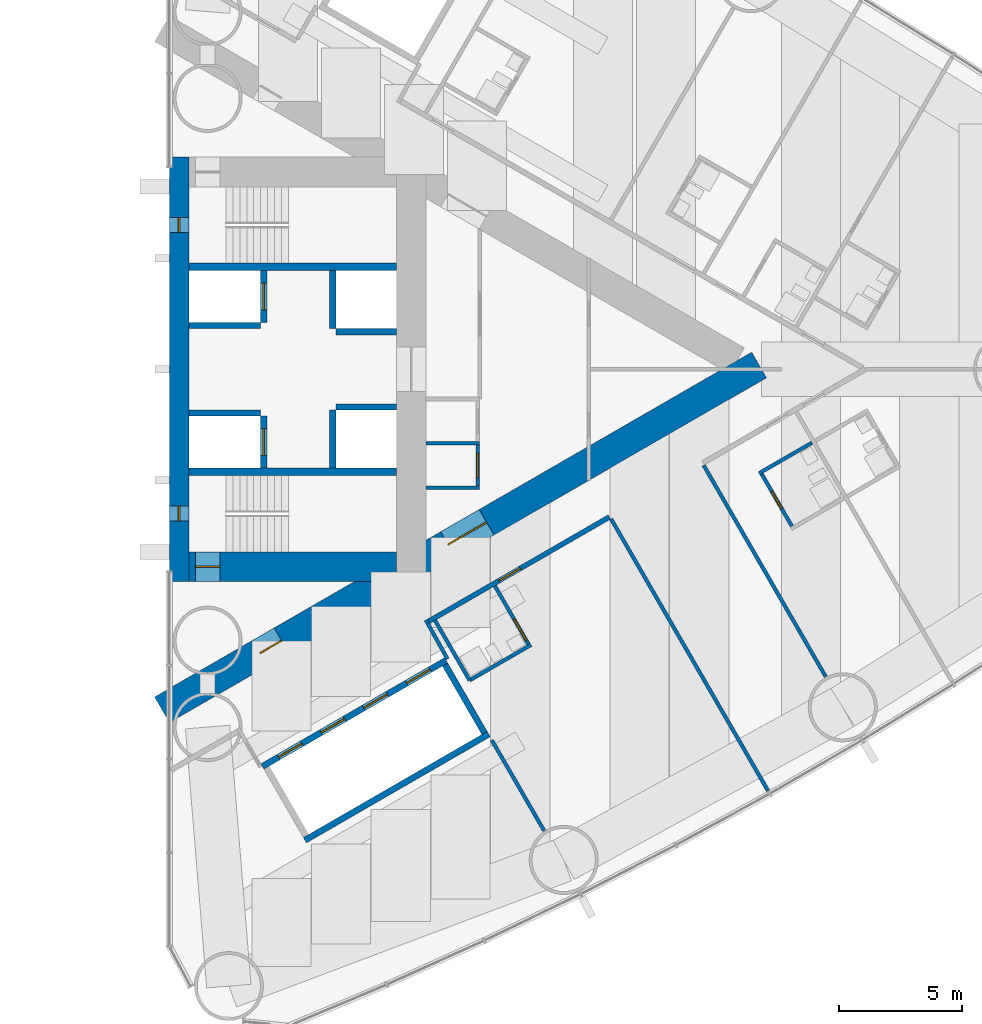
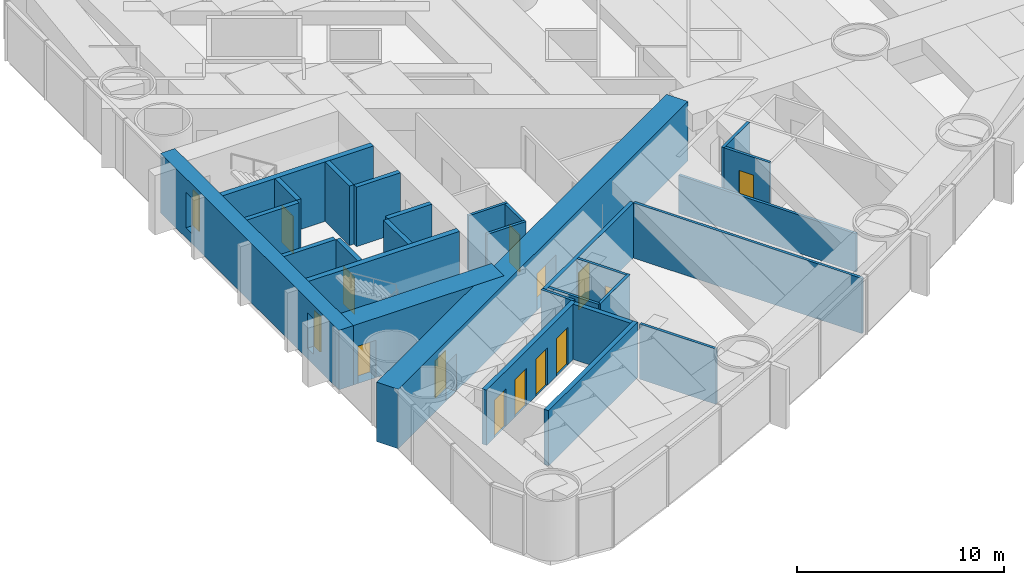
# One storey, part 14 of 19: 29 walls, 13 doors, 2 windows, 15 openings.
"""IFC4 building model written with IfcOpenShell, lengths in metres."""

from ifc_helpers import new_model, si_unit, direction, frame, frame_2d, origin, place, context, subcontext, project, spatial, rectangle, extrude, material, layer, layer_set, type_object, element, fill, save


model = new_model("IFC4")

# Units and contexts
model_context = context("Model", 3, precision=1e-05, world=origin(), true_north=direction((0.0, 1.0)))
body_context = subcontext(model_context, "Body", "Model", "MODEL_VIEW")
ifc_project = project(units=[si_unit("LENGTHUNIT", "METRE"), si_unit("AREAUNIT", "SQUARE_METRE"), si_unit("VOLUMEUNIT", "CUBIC_METRE"), si_unit("PLANEANGLEUNIT", "RADIAN"), si_unit("MASSUNIT", "GRAM", prefix="KILO")], contexts=[model_context])

# Site, building, storey
site_placement = place(None, origin())
site = spatial("IfcSite", under=ifc_project, at=site_placement, CompositionType="ELEMENT")
building_placement = place(site_placement, origin())
building = spatial("IfcBuilding", under=site, at=building_placement, Name="Lancet Gate Hotel", CompositionType="ELEMENT")
storey_placement = place(building_placement, frame((0.0, 0.0, 21.5)))
storey = spatial("IfcBuildingStorey", under=building, at=storey_placement, Name="L04", CompositionType="ELEMENT", Elevation=21.5)

# Wall, opening, door
ifc_material_1 = material(Name="Moisture resistant board partition")
ifc_layer_1 = layer(ifc_material_1, 0.14990234375)
ifc_layer_set_1 = layer_set([ifc_layer_1], Name="Bathroom wall 150")
wall_type_1 = type_object("IfcWallType", Name="Bathroom wall 150", PredefinedType="PARTITIONING", material=ifc_layer_set_1)
wall_1_placement = place(storey_placement, frame((51.47119140625, -4.1748046875, 0.0), z_axis=(0.0, 0.0, 1.0), x_axis=(0.500006934395, -0.866021400173, 0.0)))
wall_1 = element("IfcWall", 1, at=wall_1_placement, inside=storey, type_object=wall_type_1, Name="T2 bathroom wall 150 L04", PredefinedType="PARTITIONING", context=body_context, shape_type="SweptSolid", body=[
    extrude(rectangle(XDim=2.60009765625, YDim=0.14990234375, at=frame_2d((1.300048828125, 0.0))), origin(), (0.0, 0.0, 1.0), 3.25),
])
opening_1_placement = place(wall_1_placement, frame((0.89990234375, 0.0, 0.0)))
opening_1 = element("IfcOpeningElement", 2, at=opening_1_placement, cuts=wall_1, Name="Opening 0456-B", PredefinedType="OPENING", context=body_context, shape_type="SweptSolid", body=[
    extrude(rectangle(XDim=0.800048828125, YDim=2.199951171875, at=frame_2d((0.39990234375, 1.10009765625))), frame((0.0, 0.0849609375, 0.0), z_axis=(0.0, -1.0, 0.0), x_axis=(1.0, 0.0, 0.0)), (0.0, 0.0, 1.0), 0.169921875),
])
ifc_material_2 = material(Name="Timber door set", Category="wood")
door_type_1 = type_object("IfcDoorType", Name="Bathroom door 800", OperationType="SINGLE_SWING_RIGHT", PredefinedType="DOOR", material=ifc_material_2)
door_1_placement = place(opening_1_placement, origin())
door_1 = element("IfcDoor", 3, at=door_1_placement, inside=storey, type_object=door_type_1, Name="0456-B", OperationType="SINGLE_SWING_RIGHT", OverallHeight=2.199951171875, OverallWidth=0.800048828125, PredefinedType="DOOR", context=body_context, shape_type="SweptSolid", body=[
    extrude(rectangle(XDim=0.800048828125, YDim=2.199951171875, at=frame_2d((0.39990234375, 1.10009765625))), frame((0.0, 0.02490234375, 0.0), z_axis=(0.0, -1.0, 0.0), x_axis=(1.0, 0.0, 0.0)), (0.0, 0.0, 1.0), 0.050048828125),
])
fill(opening_1, door_1)

# Walls
wall_2_placement = place(storey_placement, frame((51.40625, -4.21240234375, 0.0), z_axis=(0.0, 0.0, 1.0), x_axis=(0.866031185235, 0.4999899861, 0.0)))
element("IfcWall", 4, at=wall_2_placement, inside=storey, type_object=wall_type_1, Name="T2 bathroom wall 150 L04", PredefinedType="PARTITIONING", context=body_context, shape_type="SweptSolid", body=[
    extrude(rectangle(XDim=2.47509765625, YDim=0.14990234375, at=frame_2d((1.237548828125, 0.0))), origin(), (0.0, 0.0, 1.0), 3.25),
])
wall_3_placement = place(storey_placement, frame((39.669921875, -12.60498046875, 0.0), z_axis=(0.0, 0.0, 1.0), x_axis=(0.866018712932, 0.500011588718, 0.0)))
element("IfcWall", 5, at=wall_3_placement, inside=storey, type_object=wall_type_1, Name="T2 bathroom wall 150 L04", PredefinedType="PARTITIONING", context=body_context, shape_type="SweptSolid", body=[
    extrude(rectangle(XDim=2.875, YDim=0.14990234375, at=frame_2d((1.4375, 0.0))), origin(), (0.0, 0.0, 1.0), 3.25),
])

# Wall, opening, door
wall_4_placement = place(storey_placement, frame((40.694580078125, -8.780029296875, 0.0), z_axis=(0.0, 0.0, 1.0), x_axis=(0.500049511043, -0.865996816683, 0.0)))
wall_4 = element("IfcWall", 6, at=wall_4_placement, inside=storey, type_object=wall_type_1, Name="T2 bathroom wall 150 L04", PredefinedType="PARTITIONING", context=body_context, shape_type="SweptSolid", body=[
    extrude(rectangle(XDim=2.800048828125, YDim=0.14990234375, at=frame_2d((1.39990234375, 0.0))), origin(), (0.0, 0.0, 1.0), 3.25),
])
opening_2_placement = place(wall_4_placement, frame((1.550048828125, 0.0, 0.0)))
opening_2 = element("IfcOpeningElement", 7, at=opening_2_placement, cuts=wall_4, Name="Opening 0453-B", PredefinedType="OPENING", context=body_context, shape_type="SweptSolid", body=[
    extrude(rectangle(XDim=1.0, YDim=2.199951171875, at=frame_2d((0.5, 1.10009765625))), frame((0.0, 0.0849609375, 0.0), z_axis=(0.0, -1.0, 0.0), x_axis=(1.0, 0.0, 0.0)), (0.0, 0.0, 1.0), 0.169921875),
])
ifc_material_3 = material(Name="Timber door set", Category="wood")
door_type_2 = type_object("IfcDoorType", Name="Accessible en-suite door 1000", OperationType="SINGLE_SWING_RIGHT", PredefinedType="DOOR", material=ifc_material_3)
door_2_placement = place(opening_2_placement, origin())
door_2 = element("IfcDoor", 8, at=door_2_placement, inside=storey, type_object=door_type_2, Name="0453-B", OperationType="SINGLE_SWING_RIGHT", OverallHeight=2.199951171875, OverallWidth=1.0, PredefinedType="DOOR", context=body_context, shape_type="SweptSolid", body=[
    extrude(rectangle(XDim=1.0, YDim=2.199951171875, at=frame_2d((0.5, 1.10009765625))), frame((0.0, 0.02490234375, 0.0), z_axis=(0.0, -1.0, 0.0), x_axis=(1.0, 0.0, 0.0)), (0.0, 0.0, 1.0), 0.050048828125),
])
fill(opening_2, door_2)

# Wall
wall_5_placement = place(storey_placement, frame((38.269775390625, -10.18017578125, 0.0), z_axis=(0.0, 0.0, 1.0), x_axis=(0.500049511043, -0.865996816683, 0.0)))
element("IfcWall", 9, at=wall_5_placement, inside=storey, type_object=wall_type_1, Name="T2 bathroom wall 150 L04", PredefinedType="PARTITIONING", context=body_context, shape_type="SweptSolid", body=[
    extrude(rectangle(XDim=2.800048828125, YDim=0.14990234375, at=frame_2d((1.39990234375, 0.0))), origin(), (0.0, 0.0, 1.0), 3.25),
])

# Wall, openings, doors
ifc_material_4 = material(Name="Concrete C70/85", Category="concrete")
ifc_layer_2 = layer(ifc_material_4, 1.199951171875)
ifc_layer_set_2 = layer_set([ifc_layer_2], Name="Buttress wall 1200")
wall_type_2 = type_object("IfcWallType", Name="Buttress wall 1200", PredefinedType="SHEAR", material=ifc_layer_set_2)
wall_6_placement = place(storey_placement, frame((27.199951171875, -13.800048828125, 0.0), z_axis=(0.0, 0.0, 1.0), x_axis=(0.866027159892, 0.499996958321, 0.0)))
wall_6 = element("IfcWall", 10, at=wall_6_placement, inside=storey, type_object=wall_type_2, Name="T2 buttress wall S L04", PredefinedType="SHEAR", context=body_context, shape_type="SweptSolid", body=[
    extrude(rectangle(XDim=27.946533203125, YDim=1.199951171875, at=frame_2d((13.97314453125, 0.0))), origin(), (0.0, 0.0, 1.0), 3.5),
])
opening_3_placement = place(wall_6_placement, frame((4.60009765625, 0.0, 0.0)))
opening_3 = element("IfcOpeningElement", 11, at=opening_3_placement, cuts=wall_6, Name="Opening T2-L04-LS", PredefinedType="OPENING", context=body_context, shape_type="SweptSolid", body=[
    extrude(rectangle(XDim=1.0, YDim=2.199951171875, at=frame_2d((0.5, 1.10009765625))), frame((0.0, 0.60986328125, 0.0), z_axis=(0.0, -1.0, 0.0), x_axis=(1.0, 0.0, 0.0)), (0.0, 0.0, 1.0), 1.219970703125),
])
opening_4_placement = place(wall_6_placement, frame((13.39453125, 0.0, 0.0)))
opening_4 = element("IfcOpeningElement", 12, at=opening_4_placement, cuts=wall_6, Name="Opening T2-L04-LHS", PredefinedType="OPENING", context=body_context, shape_type="SweptSolid", body=[
    extrude(rectangle(XDim=1.800048828125, YDim=2.199951171875, at=frame_2d((0.89990234375, 1.10009765625))), frame((0.0, 0.60986328125, 0.0), z_axis=(0.0, -1.0, 0.0), x_axis=(1.0, 0.0, 0.0)), (0.0, 0.0, 1.0), 1.219970703125),
])
ifc_material_5 = material(Name="Timber door set", Category="wood")
door_type_3 = type_object("IfcDoorType", Name="Lobby double door 1800", OperationType="DOUBLE_DOOR_SINGLE_SWING", PredefinedType="DOOR", material=ifc_material_5)
door_3_placement = place(opening_4_placement, origin())
door_3 = element("IfcDoor", 13, at=door_3_placement, inside=storey, type_object=door_type_3, Name="T2-L04-LHS", OperationType="DOUBLE_DOOR_SINGLE_SWING", OverallHeight=2.199951171875, OverallWidth=1.800048828125, PredefinedType="DOOR", context=body_context, shape_type="SweptSolid", body=[
    extrude(rectangle(XDim=1.800048828125, YDim=2.199951171875, at=frame_2d((0.89990234375, 1.10009765625))), frame((0.0, 0.02490234375, 0.0), z_axis=(0.0, -1.0, 0.0), x_axis=(1.0, 0.0, 0.0)), (0.0, 0.0, 1.0), 0.050048828125),
])
fill(opening_4, door_3)
ifc_material_6 = material(Name="Timber door set", Category="wood")
door_type_4 = type_object("IfcDoorType", Name="Stair lobby door 1000", OperationType="SINGLE_SWING_LEFT", PredefinedType="DOOR", material=ifc_material_6)
door_4_placement = place(opening_3_placement, origin())
door_4 = element("IfcDoor", 14, at=door_4_placement, inside=storey, type_object=door_type_4, Name="T2-L04-LS", OperationType="SINGLE_SWING_LEFT", OverallHeight=2.199951171875, OverallWidth=1.0, PredefinedType="DOOR", context=body_context, shape_type="SweptSolid", body=[
    extrude(rectangle(XDim=1.0, YDim=2.199951171875, at=frame_2d((0.5, 1.10009765625))), frame((0.0, 0.02490234375, 0.0), z_axis=(0.0, -1.0, 0.0), x_axis=(1.0, 0.0, 0.0)), (0.0, 0.0, 1.0), 0.050048828125),
])
fill(opening_3, door_4)

# Wall, opening, door
ifc_material_7 = material(Name="Concrete C70/85", Category="concrete")
ifc_layer_3 = layer(ifc_material_7, 1.199951171875)
ifc_layer_set_3 = layer_set([ifc_layer_3], Name="Core wall 1200")
wall_type_3 = type_object("IfcWallType", Name="Core wall 1200", PredefinedType="SHEAR", material=ifc_layer_set_3)
wall_7_placement = place(storey_placement, frame((28.300048828125, -8.0, 0.0), z_axis=(0.0, 0.0, 1.0), x_axis=(1.0, 0.0, 0.0)))
wall_7 = element("IfcWall", 15, at=wall_7_placement, inside=storey, type_object=wall_type_3, Name="T2 core wall side-S L04", PredefinedType="SHEAR", context=body_context, shape_type="SweptSolid", body=[
    extrude(rectangle(XDim=8.39990234375, YDim=1.199951171875, at=frame_2d((4.199951171875, 0.0))), origin(), (0.0, 0.0, 1.0), 3.5),
])
opening_5_placement = place(wall_7_placement, frame((0.25, 0.0, 0.0)))
opening_5 = element("IfcOpeningElement", 16, at=opening_5_placement, cuts=wall_7, Name="Opening T2-L04-ST1", PredefinedType="OPENING", context=body_context, shape_type="SweptSolid", body=[
    extrude(rectangle(XDim=1.0, YDim=2.199951171875, at=frame_2d((0.5, 1.10009765625))), frame((0.0, 0.60986328125, 0.0), z_axis=(0.0, -1.0, 0.0), x_axis=(1.0, 0.0, 0.0)), (0.0, 0.0, 1.0), 1.219970703125),
])
ifc_material_8 = material(Name="Timber door set", Category="wood")
door_type_5 = type_object("IfcDoorType", Name="Stair door 1000", OperationType="SINGLE_SWING_RIGHT", PredefinedType="DOOR", material=ifc_material_8)
door_5_placement = place(opening_5_placement, origin())
door_5 = element("IfcDoor", 17, at=door_5_placement, inside=storey, type_object=door_type_5, Name="T2-L04-ST1", OperationType="SINGLE_SWING_RIGHT", OverallHeight=2.199951171875, OverallWidth=1.0, PredefinedType="DOOR", context=body_context, shape_type="SweptSolid", body=[
    extrude(rectangle(XDim=1.0, YDim=2.199951171875, at=frame_2d((0.5, 1.10009765625))), frame((0.0, 0.02490234375, 0.0), z_axis=(0.0, -1.0, 0.0), x_axis=(1.0, 0.0, 0.0)), (0.0, 0.0, 1.0), 0.050048828125),
])
fill(opening_5, door_5)

# Wall, openings, windows
ifc_material_9 = material(Name="Concrete C70/85", Category="concrete")
ifc_layer_4 = layer(ifc_material_9, 0.800048828125)
ifc_layer_set_4 = layer_set([ifc_layer_4], Name="Core wall 800")
wall_type_4 = type_object("IfcWallType", Name="Core wall 800", PredefinedType="SHEAR", material=ifc_layer_set_4)
wall_8_placement = place(storey_placement, frame((27.89990234375, -8.60009765625, 0.0), z_axis=(0.0, 0.0, 1.0), x_axis=(0.0, 1.0, 0.0)))
wall_8 = element("IfcWall", 18, at=wall_8_placement, inside=storey, type_object=wall_type_4, Name="T2 core wall front L04", PredefinedType="SHEAR", context=body_context, shape_type="SweptSolid", body=[
    extrude(rectangle(XDim=17.2001953125, YDim=0.800048828125, at=frame_2d((8.60009765625, 0.0))), origin(), (0.0, 0.0, 1.0), 3.5),
])
opening_6_placement = place(wall_8_placement, frame((2.449951171875, 0.0, 0.60009765625)))
opening_6 = element("IfcOpeningElement", 19, at=opening_6_placement, cuts=wall_8, Name="Opening LW1", PredefinedType="OPENING", context=body_context, shape_type="SweptSolid", body=[
    extrude(rectangle(XDim=0.60009765625, YDim=2.10009765625, at=frame_2d((0.300048828125, 1.050048828125))), frame((0.0, 0.409912109375, 0.0), z_axis=(0.0, -1.0, 0.0), x_axis=(1.0, 0.0, 0.0)), (0.0, 0.0, 1.0), 0.820068359375),
])
opening_7_placement = place(wall_8_placement, frame((14.14990234375, 0.0, 0.60009765625)))
opening_7 = element("IfcOpeningElement", 20, at=opening_7_placement, cuts=wall_8, Name="Opening LW1", PredefinedType="OPENING", context=body_context, shape_type="SweptSolid", body=[
    extrude(rectangle(XDim=0.60009765625, YDim=2.10009765625, at=frame_2d((0.300048828125, 1.050048828125))), frame((0.0, 0.409912109375, 0.0), z_axis=(0.0, -1.0, 0.0), x_axis=(1.0, 0.0, 0.0)), (0.0, 0.0, 1.0), 0.820068359375),
])
ifc_material_10 = material(Name="Fire-resisting glazed steel window", Category="steel")
window_type = type_object("IfcWindowType", Name="Lancet window 600x2100", PartitioningType="SINGLE_PANEL", PredefinedType="WINDOW", material=ifc_material_10)
window_1_placement = place(opening_6_placement, origin())
window_1 = element("IfcWindow", 21, at=window_1_placement, inside=storey, type_object=window_type, Name="T2 stair window S L04", OverallHeight=2.10009765625, OverallWidth=0.60009765625, PartitioningType="SINGLE_PANEL", PredefinedType="WINDOW", context=body_context, shape_type="SweptSolid", body=[
    extrude(rectangle(XDim=0.60009765625, YDim=2.10009765625, at=frame_2d((0.300048828125, 1.050048828125))), frame((0.0, 0.030029296875, 0.0), z_axis=(0.0, -1.0, 0.0), x_axis=(1.0, 0.0, 0.0)), (0.0, 0.0, 1.0), 0.06005859375),
])
fill(opening_6, window_1)
window_2_placement = place(opening_7_placement, origin())
window_2 = element("IfcWindow", 22, at=window_2_placement, inside=storey, type_object=window_type, Name="T2 stair window N L04", OverallHeight=2.10009765625, OverallWidth=0.60009765625, PartitioningType="SINGLE_PANEL", PredefinedType="WINDOW", context=body_context, shape_type="SweptSolid", body=[
    extrude(rectangle(XDim=0.60009765625, YDim=2.10009765625, at=frame_2d((0.300048828125, 1.050048828125))), frame((0.0, 0.030029296875, 0.0), z_axis=(0.0, -1.0, 0.0), x_axis=(1.0, 0.0, 0.0)), (0.0, 0.0, 1.0), 0.06005859375),
])
fill(opening_7, window_2)

# Wall, opening, door
ifc_material_11 = material(Name="Gypsum board partition")
ifc_layer_5 = layer(ifc_material_11, 0.199951171875)
ifc_layer_set_5 = layer_set([ifc_layer_5], Name="Corridor wall 200")
wall_type_5 = type_object("IfcWallType", Name="Corridor wall 200", PredefinedType="PARTITIONING", material=ifc_layer_set_5)
wall_9_placement = place(storey_placement, frame((37.9599609375, -10.243408203125, 0.0), z_axis=(0.0, 0.0, 1.0), x_axis=(0.866024617314, 0.500001362204, 0.0)))
wall_9 = element("IfcWall", 23, at=wall_9_placement, inside=storey, type_object=wall_type_5, Name="T2 corridor wall 200 L04", PredefinedType="PARTITIONING", context=body_context, shape_type="SweptSolid", body=[
    extrude(rectangle(XDim=8.51171875, YDim=0.199951171875, at=frame_2d((4.255859375, 0.0))), origin(), (0.0, 0.0, 1.0), 3.25),
])
opening_8_placement = place(wall_9_placement, frame((3.35009765625, 0.0, 0.0)))
opening_8 = element("IfcOpeningElement", 24, at=opening_8_placement, cuts=wall_9, Name="Opening 0453-E", PredefinedType="OPENING", context=body_context, shape_type="SweptSolid", body=[
    extrude(rectangle(XDim=1.0, YDim=2.199951171875, at=frame_2d((0.5, 1.10009765625))), frame((0.0, 0.10986328125, 0.0), z_axis=(0.0, -1.0, 0.0), x_axis=(1.0, 0.0, 0.0)), (0.0, 0.0, 1.0), 0.219970703125),
])
ifc_material_12 = material(Name="Timber door set", Category="wood")
door_type_6 = type_object("IfcDoorType", Name="Accessible guest room door 1000", OperationType="SINGLE_SWING_LEFT", PredefinedType="DOOR", material=ifc_material_12)
door_6_placement = place(opening_8_placement, origin())
door_6 = element("IfcDoor", 25, at=door_6_placement, inside=storey, type_object=door_type_6, Name="0453-E", OperationType="SINGLE_SWING_LEFT", OverallHeight=2.199951171875, OverallWidth=1.0, PredefinedType="DOOR", context=body_context, shape_type="SweptSolid", body=[
    extrude(rectangle(XDim=1.0, YDim=2.199951171875, at=frame_2d((0.5, 1.10009765625))), frame((0.0, 0.02490234375, 0.0), z_axis=(0.0, -1.0, 0.0), x_axis=(1.0, 0.0, 0.0)), (0.0, 0.0, 1.0), 0.050048828125),
])
fill(opening_8, door_6)

# Wall, openings, doors
ifc_material_13 = material(Name="Gypsum board partition")
ifc_layer_6 = layer(ifc_material_13, 0.25)
ifc_layer_set_6 = layer_set([ifc_layer_6], Name="Lift shaft partition 250")
wall_type_6 = type_object("IfcWallType", Name="Lift shaft partition 250", PredefinedType="PARTITIONING", material=ifc_layer_set_6)
wall_10_placement = place(storey_placement, frame((31.2705078125, -16.09716796875, 0.0), z_axis=(0.0, 0.0, 1.0), x_axis=(0.86604045752, 0.499973925258, 0.0)))
wall_10 = element("IfcWall", 26, at=wall_10_placement, inside=storey, type_object=wall_type_6, Name="T2 lift shaft wall LR L04", PredefinedType="PARTITIONING", context=body_context, shape_type="SweptSolid", body=[
    extrude(rectangle(XDim=8.60009765625, YDim=0.25, at=frame_2d((4.300048828125, 0.0))), origin(), (0.0, 0.0, 1.0), 3.25),
])
opening_9_placement = place(wall_10_placement, frame((0.75, 0.0, 0.0)))
opening_9 = element("IfcOpeningElement", 27, at=opening_9_placement, cuts=wall_10, Name="Opening T2-LR1-L04", PredefinedType="OPENING", context=body_context, shape_type="SweptSolid", body=[
    extrude(rectangle(XDim=1.10009765625, YDim=2.199951171875, at=frame_2d((0.550048828125, 1.10009765625))), frame((0.0, 0.135009765625, 0.0), z_axis=(0.0, -1.0, 0.0), x_axis=(1.0, 0.0, 0.0)), (0.0, 0.0, 1.0), 0.27001953125),
])
opening_10_placement = place(wall_10_placement, frame((2.75, 0.0, 0.0)))
opening_10 = element("IfcOpeningElement", 28, at=opening_10_placement, cuts=wall_10, Name="Opening T2-LR2-L04", PredefinedType="OPENING", context=body_context, shape_type="SweptSolid", body=[
    extrude(rectangle(XDim=1.10009765625, YDim=2.199951171875, at=frame_2d((0.550048828125, 1.10009765625))), frame((0.0, 0.135009765625, 0.0), z_axis=(0.0, -1.0, 0.0), x_axis=(1.0, 0.0, 0.0)), (0.0, 0.0, 1.0), 0.27001953125),
])
opening_11_placement = place(wall_10_placement, frame((4.75, 0.0, 0.0)))
opening_11 = element("IfcOpeningElement", 29, at=opening_11_placement, cuts=wall_10, Name="Opening T2-LR3-L04", PredefinedType="OPENING", context=body_context, shape_type="SweptSolid", body=[
    extrude(rectangle(XDim=1.10009765625, YDim=2.199951171875, at=frame_2d((0.550048828125, 1.10009765625))), frame((0.0, 0.135009765625, 0.0), z_axis=(0.0, -1.0, 0.0), x_axis=(1.0, 0.0, 0.0)), (0.0, 0.0, 1.0), 0.27001953125),
])
opening_12_placement = place(wall_10_placement, frame((6.75, 0.0, 0.0)))
opening_12 = element("IfcOpeningElement", 30, at=opening_12_placement, cuts=wall_10, Name="Opening T2-LR4-L04", PredefinedType="OPENING", context=body_context, shape_type="SweptSolid", body=[
    extrude(rectangle(XDim=1.10009765625, YDim=2.199951171875, at=frame_2d((0.550048828125, 1.10009765625))), frame((0.0, 0.135009765625, 0.0), z_axis=(0.0, -1.0, 0.0), x_axis=(1.0, 0.0, 0.0)), (0.0, 0.0, 1.0), 0.27001953125),
])
ifc_material_14 = material(Name="Steel door set", Category="steel")
door_type_7 = type_object("IfcDoorType", Name="Lift landing door 1100", OperationType="DOUBLE_DOOR_SLIDING", PredefinedType="USERDEFINED", material=ifc_material_14)
door_7_placement = place(opening_9_placement, origin())
door_7 = element("IfcDoor", 31, at=door_7_placement, inside=storey, type_object=door_type_7, Name="T2-LR1-L04", ObjectType="LIFT LANDING DOOR", OperationType="DOUBLE_DOOR_SLIDING", OverallHeight=2.199951171875, OverallWidth=1.10009765625, PredefinedType="USERDEFINED", context=body_context, shape_type="SweptSolid", body=[
    extrude(rectangle(XDim=1.10009765625, YDim=2.199951171875, at=frame_2d((0.550048828125, 1.10009765625))), frame((0.0, 0.02490234375, 0.0), z_axis=(0.0, -1.0, 0.0), x_axis=(1.0, 0.0, 0.0)), (0.0, 0.0, 1.0), 0.050048828125),
])
fill(opening_9, door_7)
door_8_placement = place(opening_10_placement, origin())
door_8 = element("IfcDoor", 32, at=door_8_placement, inside=storey, type_object=door_type_7, Name="T2-LR2-L04", ObjectType="LIFT LANDING DOOR", OperationType="DOUBLE_DOOR_SLIDING", OverallHeight=2.199951171875, OverallWidth=1.10009765625, PredefinedType="USERDEFINED", context=body_context, shape_type="SweptSolid", body=[
    extrude(rectangle(XDim=1.10009765625, YDim=2.199951171875, at=frame_2d((0.550048828125, 1.10009765625))), frame((0.0, 0.02490234375, 0.0), z_axis=(0.0, -1.0, 0.0), x_axis=(1.0, 0.0, 0.0)), (0.0, 0.0, 1.0), 0.050048828125),
])
fill(opening_10, door_8)
door_9_placement = place(opening_11_placement, origin())
door_9 = element("IfcDoor", 33, at=door_9_placement, inside=storey, type_object=door_type_7, Name="T2-LR3-L04", ObjectType="LIFT LANDING DOOR", OperationType="DOUBLE_DOOR_SLIDING", OverallHeight=2.199951171875, OverallWidth=1.10009765625, PredefinedType="USERDEFINED", context=body_context, shape_type="SweptSolid", body=[
    extrude(rectangle(XDim=1.10009765625, YDim=2.199951171875, at=frame_2d((0.550048828125, 1.10009765625))), frame((0.0, 0.02490234375, 0.0), z_axis=(0.0, -1.0, 0.0), x_axis=(1.0, 0.0, 0.0)), (0.0, 0.0, 1.0), 0.050048828125),
])
fill(opening_11, door_9)
door_10_placement = place(opening_12_placement, origin())
door_10 = element("IfcDoor", 34, at=door_10_placement, inside=storey, type_object=door_type_7, Name="T2-LR4-L04", ObjectType="LIFT LANDING DOOR", OperationType="DOUBLE_DOOR_SLIDING", OverallHeight=2.199951171875, OverallWidth=1.10009765625, PredefinedType="USERDEFINED", context=body_context, shape_type="SweptSolid", body=[
    extrude(rectangle(XDim=1.10009765625, YDim=2.199951171875, at=frame_2d((0.550048828125, 1.10009765625))), frame((0.0, 0.02490234375, 0.0), z_axis=(0.0, -1.0, 0.0), x_axis=(1.0, 0.0, 0.0)), (0.0, 0.0, 1.0), 0.050048828125),
])
fill(opening_12, door_10)

# Walls
wall_11_placement = place(storey_placement, frame((32.99560546875, -19.085693359375, 0.0), z_axis=(0.0, 0.0, 1.0), x_axis=(0.866028165386, 0.499995216735, 0.0)))
element("IfcWall", 35, at=wall_11_placement, inside=storey, type_object=wall_type_6, Name="T2 lift shaft wall LR L04", PredefinedType="PARTITIONING", context=body_context, shape_type="SweptSolid", body=[
    extrude(rectangle(XDim=8.60009765625, YDim=0.25, at=frame_2d((4.300048828125, 0.0))), origin(), (0.0, 0.0, 1.0), 3.25),
])
wall_12_placement = place(storey_placement, frame((38.672607421875, -11.968017578125, 0.0), z_axis=(0.0, 0.0, 1.0), x_axis=(0.499929347863, -0.866066190972, 0.0)))
element("IfcWall", 36, at=wall_12_placement, inside=storey, type_object=wall_type_6, Name="T2 lift shaft wall LR L04", PredefinedType="PARTITIONING", context=body_context, shape_type="SweptSolid", body=[
    extrude(rectangle(XDim=3.20068359375, YDim=0.25, at=frame_2d((1.600341796875, 0.0))), origin(), (0.0, 0.0, 1.0), 3.25),
])

# Wall, opening, door
ifc_material_15 = material(Name="Concrete C50/60", Category="concrete")
ifc_layer_7 = layer(ifc_material_15, 0.25)
ifc_layer_set_7 = layer_set([ifc_layer_7], Name="Lift shaft wall 250")
wall_type_7 = type_object("IfcWallType", Name="Lift shaft wall 250", PredefinedType="SHEAR", material=ifc_layer_set_7)
wall_13_placement = place(storey_placement, frame((31.324951171875, -4.0, 0.0), z_axis=(0.0, 0.0, 1.0), x_axis=(0.0, 1.0, 0.0)))
wall_13 = element("IfcWall", 37, at=wall_13_placement, inside=storey, type_object=wall_type_7, Name="T2 core wall row1-S L04", PredefinedType="SHEAR", context=body_context, shape_type="SweptSolid", body=[
    extrude(rectangle(XDim=2.10009765625, YDim=0.25, at=frame_2d((1.050048828125, 0.0))), origin(), (0.0, 0.0, 1.0), 3.5),
])
opening_13_placement = place(wall_13_placement, frame((0.5, 0.0, 0.0)))
opening_13 = element("IfcOpeningElement", 38, at=opening_13_placement, cuts=wall_13, Name="Opening T2-SL1-L04", PredefinedType="OPENING", context=body_context, shape_type="SweptSolid", body=[
    extrude(rectangle(XDim=1.10009765625, YDim=2.199951171875, at=frame_2d((0.550048828125, 1.10009765625))), frame((0.0, 0.135009765625, 0.0), z_axis=(0.0, -1.0, 0.0), x_axis=(1.0, 0.0, 0.0)), (0.0, 0.0, 1.0), 0.27001953125),
])
ifc_material_16 = material(Name="Timber door set", Category="wood")
door_type_8 = type_object("IfcDoorType", Name="Service lift landing door 1100", OperationType="SLIDING_TO_LEFT", PredefinedType="USERDEFINED", material=ifc_material_16)
door_11_placement = place(opening_13_placement, origin())
door_11 = element("IfcDoor", 39, at=door_11_placement, inside=storey, type_object=door_type_8, Name="T2-SL1-L04", ObjectType="LIFT LANDING DOOR", OperationType="SLIDING_TO_LEFT", OverallHeight=2.199951171875, OverallWidth=1.10009765625, PredefinedType="USERDEFINED", context=body_context, shape_type="SweptSolid", body=[
    extrude(rectangle(XDim=1.10009765625, YDim=2.199951171875, at=frame_2d((0.550048828125, 1.10009765625))), frame((0.0, 0.02490234375, 0.0), z_axis=(0.0, -1.0, 0.0), x_axis=(1.0, 0.0, 0.0)), (0.0, 0.0, 1.0), 0.050048828125),
])
fill(opening_13, door_11)

# Walls
wall_14_placement = place(storey_placement, frame((34.125, -4.0, 0.0), z_axis=(0.0, 0.0, 1.0), x_axis=(0.0, 1.0, 0.0)))
element("IfcWall", 40, at=wall_14_placement, inside=storey, type_object=wall_type_7, Name="T2 core wall row2-S L04", PredefinedType="SHEAR", context=body_context, shape_type="SweptSolid", body=[
    extrude(rectangle(XDim=2.35009765625, YDim=0.25, at=frame_2d((1.175048828125, 0.0))), origin(), (0.0, 0.0, 1.0), 3.5),
])
wall_15_placement = place(storey_placement, frame((28.300048828125, -1.77490234375, 0.0), z_axis=(0.0, 0.0, 1.0), x_axis=(1.0, 0.0, 0.0)))
element("IfcWall", 41, at=wall_15_placement, inside=storey, type_object=wall_type_7, Name="T2 core wall pass1-S L04", PredefinedType="SHEAR", context=body_context, shape_type="SweptSolid", body=[
    extrude(rectangle(XDim=2.89990234375, YDim=0.25, at=frame_2d((1.449951171875, 0.0))), origin(), (0.0, 0.0, 1.0), 3.5),
])
wall_16_placement = place(storey_placement, frame((34.25, -1.52490234375, 0.0), z_axis=(0.0, 0.0, 1.0), x_axis=(1.0, 0.0, 0.0)))
element("IfcWall", 42, at=wall_16_placement, inside=storey, type_object=wall_type_7, Name="T2 core wall pass2-S L04", PredefinedType="SHEAR", context=body_context, shape_type="SweptSolid", body=[
    extrude(rectangle(XDim=2.449951171875, YDim=0.25, at=frame_2d((1.22509765625, 0.0))), origin(), (0.0, 0.0, 1.0), 3.5),
])

# Wall, opening, door
wall_17_placement = place(storey_placement, frame((31.324951171875, 1.89990234375, 0.0), z_axis=(0.0, 0.0, 1.0), x_axis=(0.0, 1.0, 0.0)))
wall_17 = element("IfcWall", 43, at=wall_17_placement, inside=storey, type_object=wall_type_7, Name="T2 core wall row1-N L04", PredefinedType="SHEAR", context=body_context, shape_type="SweptSolid", body=[
    extrude(rectangle(XDim=2.10009765625, YDim=0.25, at=frame_2d((1.050048828125, 0.0))), origin(), (0.0, 0.0, 1.0), 3.5),
])
opening_14_placement = place(wall_17_placement, frame((0.5, 0.0, 0.0)))
opening_14 = element("IfcOpeningElement", 44, at=opening_14_placement, cuts=wall_17, Name="Opening T2-FL2-L04", PredefinedType="OPENING", context=body_context, shape_type="SweptSolid", body=[
    extrude(rectangle(XDim=1.10009765625, YDim=2.199951171875, at=frame_2d((0.550048828125, 1.10009765625))), frame((0.0, 0.135009765625, 0.0), z_axis=(0.0, -1.0, 0.0), x_axis=(1.0, 0.0, 0.0)), (0.0, 0.0, 1.0), 0.27001953125),
])
ifc_material_17 = material(Name="Steel door set", Category="steel")
door_type_9 = type_object("IfcDoorType", Name="Firefighting lift landing door 1100", OperationType="SLIDING_TO_LEFT", PredefinedType="USERDEFINED", material=ifc_material_17)
door_12_placement = place(opening_14_placement, origin())
door_12 = element("IfcDoor", 45, at=door_12_placement, inside=storey, type_object=door_type_9, Name="T2-FL2-L04", ObjectType="LIFT LANDING DOOR", OperationType="SLIDING_TO_LEFT", OverallHeight=2.199951171875, OverallWidth=1.10009765625, PredefinedType="USERDEFINED", context=body_context, shape_type="SweptSolid", body=[
    extrude(rectangle(XDim=1.10009765625, YDim=2.199951171875, at=frame_2d((0.550048828125, 1.10009765625))), frame((0.0, 0.02490234375, 0.0), z_axis=(0.0, -1.0, 0.0), x_axis=(1.0, 0.0, 0.0)), (0.0, 0.0, 1.0), 0.050048828125),
])
fill(opening_14, door_12)

# Walls
wall_18_placement = place(storey_placement, frame((34.125, 1.64990234375, 0.0), z_axis=(0.0, 0.0, 1.0), x_axis=(0.0, 1.0, 0.0)))
element("IfcWall", 46, at=wall_18_placement, inside=storey, type_object=wall_type_7, Name="T2 core wall row2-N L04", PredefinedType="SHEAR", context=body_context, shape_type="SweptSolid", body=[
    extrude(rectangle(XDim=2.35009765625, YDim=0.25, at=frame_2d((1.175048828125, 0.0))), origin(), (0.0, 0.0, 1.0), 3.5),
])
wall_19_placement = place(storey_placement, frame((28.300048828125, 1.77490234375, 0.0), z_axis=(0.0, 0.0, 1.0), x_axis=(1.0, 0.0, 0.0)))
element("IfcWall", 47, at=wall_19_placement, inside=storey, type_object=wall_type_7, Name="T2 core wall pass1-N L04", PredefinedType="SHEAR", context=body_context, shape_type="SweptSolid", body=[
    extrude(rectangle(XDim=2.89990234375, YDim=0.25, at=frame_2d((1.449951171875, 0.0))), origin(), (0.0, 0.0, 1.0), 3.5),
])
wall_20_placement = place(storey_placement, frame((34.25, 1.52490234375, 0.0), z_axis=(0.0, 0.0, 1.0), x_axis=(1.0, 0.0, 0.0)))
element("IfcWall", 48, at=wall_20_placement, inside=storey, type_object=wall_type_7, Name="T2 core wall pass2-N L04", PredefinedType="SHEAR", context=body_context, shape_type="SweptSolid", body=[
    extrude(rectangle(XDim=2.449951171875, YDim=0.25, at=frame_2d((1.22509765625, 0.0))), origin(), (0.0, 0.0, 1.0), 3.5),
])
ifc_material_18 = material(Name="Gypsum board partition")
ifc_layer_8 = layer(ifc_material_18, 0.14990234375)
ifc_layer_set_8 = layer_set([ifc_layer_8], Name="Party wall 150")
wall_type_8 = type_object("IfcWallType", Name="Party wall 150", PredefinedType="PARTITIONING", material=ifc_layer_set_8)
wall_21_placement = place(storey_placement, frame((45.40283203125, -6.061767578125, 0.0), z_axis=(0.0, 0.0, 1.0), x_axis=(0.500007077968, -0.866021317279, 0.0)))
element("IfcWall", 49, at=wall_21_placement, inside=storey, type_object=wall_type_8, Name="T2 party wall 150 L04", PredefinedType="PARTITIONING", context=body_context, shape_type="SweptSolid", body=[
    extrude(rectangle(XDim=12.721435546875, YDim=0.14990234375, at=frame_2d((6.36083984375, 0.0))), origin(), (0.0, 0.0, 1.0), 3.25),
])
wall_22_placement = place(storey_placement, frame((49.159423828125, -3.892822265625, 0.0), z_axis=(0.0, 0.0, 1.0), x_axis=(0.499998773722, -0.866026111775, 0.0)))
element("IfcWall", 50, at=wall_22_placement, inside=storey, type_object=wall_type_8, Name="T2 party wall 150 L04", PredefinedType="PARTITIONING", context=body_context, shape_type="SweptSolid", body=[
    extrude(rectangle(XDim=9.8916015625, YDim=0.14990234375, at=frame_2d((4.94580078125, 0.0))), origin(), (0.0, 0.0, 1.0), 2.25),
])
wall_23_placement = place(storey_placement, frame((40.5703125, -15.030029296875, 0.0), z_axis=(0.0, 0.0, 1.0), x_axis=(0.500012993597, -0.866017901798, 0.0)))
element("IfcWall", 51, at=wall_23_placement, inside=storey, type_object=wall_type_8, Name="T2 party wall 150 L04", PredefinedType="PARTITIONING", context=body_context, shape_type="SweptSolid", body=[
    extrude(rectangle(XDim=4.2431640625, YDim=0.14990234375, at=frame_2d((2.12158203125, 0.0))), origin(), (0.0, 0.0, 1.0), 3.25),
])
ifc_material_19 = material(Name="Gypsum board partition")
ifc_layer_9 = layer(ifc_material_19, 0.14990234375)
ifc_layer_set_9 = layer_set([ifc_layer_9], Name="Service room wall 150")
wall_type_9 = type_object("IfcWallType", Name="Service room wall 150", PredefinedType="PARTITIONING", material=ifc_layer_set_9)
wall_24_placement = place(storey_placement, frame((38.7734375, -11.742431640625, 0.0), z_axis=(0.0, 0.0, 1.0), x_axis=(-0.485528096672, 0.8742210632, 0.0)))
element("IfcWall", 52, at=wall_24_placement, inside=storey, type_object=wall_type_9, Name="T2 service room wall 150 L04", PredefinedType="PARTITIONING", context=body_context, shape_type="SweptSolid", body=[
    extrude(rectangle(XDim=1.80517578125, YDim=0.14990234375, at=frame_2d((0.902587890625, 0.0))), origin(), (0.0, 0.0, 1.0), 3.25),
])
for number, where, z_axis, x_axis, name in (
    (53, (37.89990234375, -3.0, 0.0), (0.0, 0.0, 1.0), (1.0, 0.0, 0.0), "T2 service room wall 150 L04"),
    (54, (37.89990234375, -4.800048828125, 0.0), (0.0, 0.0, 1.0), (1.0, 0.0, 0.0), "T2 service room wall 150 L04"),
):
    element("IfcWall", number, at=place(storey_placement, frame(where, z_axis=z_axis, x_axis=x_axis)), inside=storey, type_object=wall_type_9, Name=name, PredefinedType="PARTITIONING", context=body_context, shape_type="SweptSolid", body=[
        extrude(rectangle(XDim=2.175048828125, YDim=0.14990234375, at=frame_2d((1.08740234375, 0.0))), origin(), (0.0, 0.0, 1.0), 3.25),
    ])

# Wall, opening, door
wall_25_placement = place(storey_placement, frame((40.0, -4.875, 0.0), z_axis=(0.0, 0.0, 1.0), x_axis=(0.0, 1.0, 0.0)))
wall_25 = element("IfcWall", 55, at=wall_25_placement, inside=storey, type_object=wall_type_9, Name="T2 service room wall 150 L04", PredefinedType="PARTITIONING", context=body_context, shape_type="SweptSolid", body=[
    extrude(rectangle(XDim=1.949951171875, YDim=0.14990234375, at=frame_2d((0.97509765625, 0.0))), origin(), (0.0, 0.0, 1.0), 3.25),
])
opening_15_placement = place(wall_25_placement, frame((0.47509765625, 0.0, 0.0)))
opening_15 = element("IfcOpeningElement", 56, at=opening_15_placement, cuts=wall_25, Name="Opening T2-L04-HRS1", PredefinedType="OPENING", context=body_context, shape_type="SweptSolid", body=[
    extrude(rectangle(XDim=1.0, YDim=2.199951171875, at=frame_2d((0.5, 1.10009765625))), frame((0.0, 0.0849609375, 0.0), z_axis=(0.0, -1.0, 0.0), x_axis=(1.0, 0.0, 0.0)), (0.0, 0.0, 1.0), 0.169921875),
])
ifc_material_20 = material(Name="Timber door set", Category="wood")
door_type_10 = type_object("IfcDoorType", Name="Service door 1000", OperationType="SINGLE_SWING_LEFT", PredefinedType="DOOR", material=ifc_material_20)
door_13_placement = place(opening_15_placement, origin())
door_13 = element("IfcDoor", 57, at=door_13_placement, inside=storey, type_object=door_type_10, Name="T2-L04-HRS1", OperationType="SINGLE_SWING_LEFT", OverallHeight=2.199951171875, OverallWidth=1.0, PredefinedType="DOOR", context=body_context, shape_type="SweptSolid", body=[
    extrude(rectangle(XDim=1.0, YDim=2.199951171875, at=frame_2d((0.5, 1.10009765625))), frame((0.0, 0.02490234375, 0.0), z_axis=(0.0, -1.0, 0.0), x_axis=(1.0, 0.0, 0.0)), (0.0, 0.0, 1.0), 0.050048828125),
])
fill(opening_15, door_13)

# Walls
ifc_material_21 = material(Name="Concrete C50/60", Category="concrete")
ifc_layer_10 = layer(ifc_material_21, 0.300048828125)
ifc_layer_set_10 = layer_set([ifc_layer_10], Name="Stair enclosure wall 300")
wall_type_10 = type_object("IfcWallType", Name="Stair enclosure wall 300", PredefinedType="SHEAR", material=ifc_layer_set_10)
for number, where, z_axis, x_axis, name in (
    (58, (28.300048828125, -4.14990234375, 0.0), (0.0, 0.0, 1.0), (1.0, 0.0, 0.0), "T2 core wall stair-S L04"),
    (59, (28.300048828125, 4.14990234375, 0.0), (0.0, 0.0, 1.0), (1.0, 0.0, 0.0), "T2 core wall stair-N L04"),
):
    element("IfcWall", number, at=place(storey_placement, frame(where, z_axis=z_axis, x_axis=x_axis)), inside=storey, type_object=wall_type_10, Name=name, PredefinedType="SHEAR", context=body_context, shape_type="SweptSolid", body=[
        extrude(rectangle(XDim=8.39990234375, YDim=0.300048828125, at=frame_2d((4.199951171875, 0.0))), origin(), (0.0, 0.0, 1.0), 3.5),
    ])

save(model, "model.ifc")
